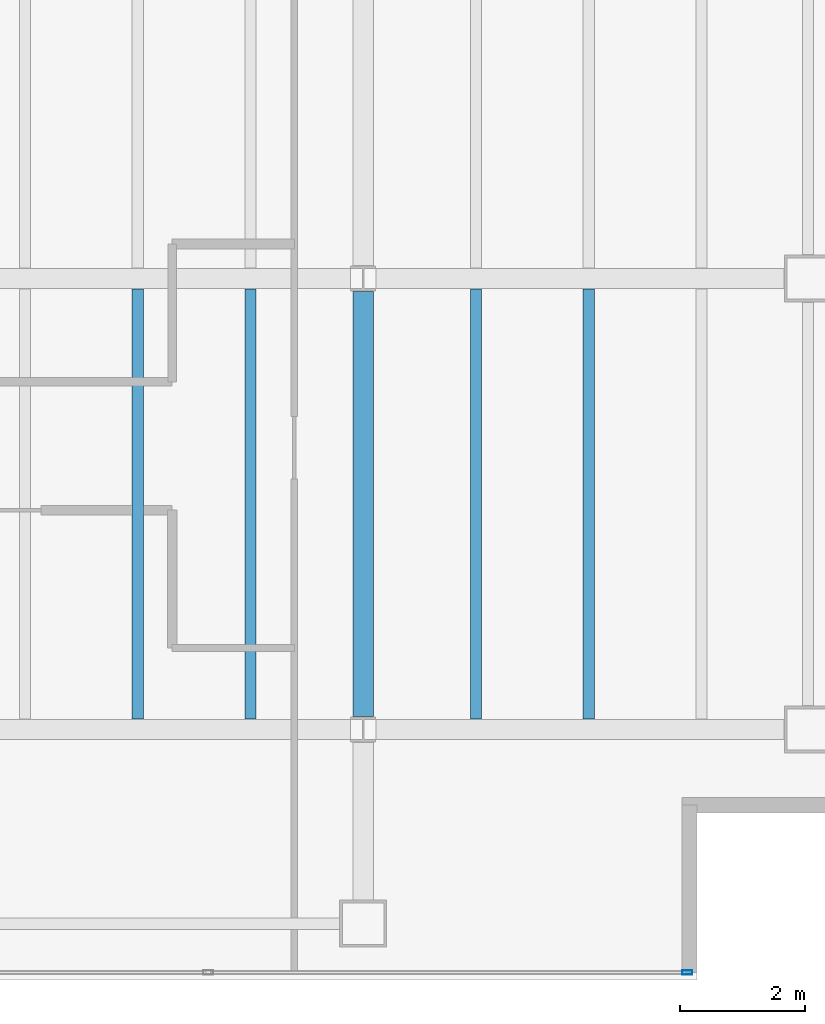
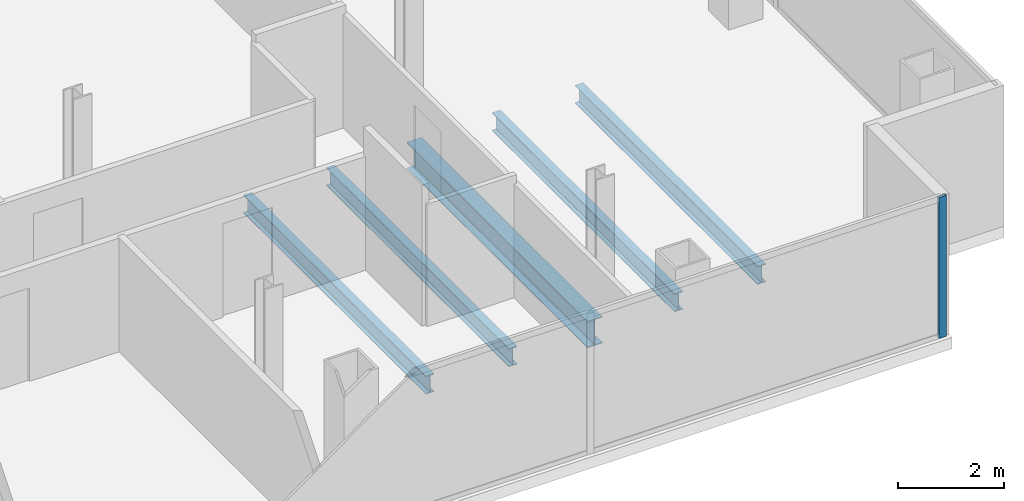
# One storey, part 11 of 23: 5 beams, 1 member, 1 element without a shape of its own.
"""IFC4 building model written with IfcOpenShell, lengths in metres."""

from ifc_helpers import new_model, si_unit, direction, frame, origin, origin_2d, place, context, subcontext, project, spatial, hollow_rectangle, i_section, extrude, material, material_profile, profile_set, type_object, element, aggregate, save


model = new_model("IFC4")

# Units and contexts
model_context = context("Model", 3, precision=1e-05, world=origin(), true_north=direction((0.0, 1.0)))
body_context = subcontext(model_context, "Body", "Model", "MODEL_VIEW")
ifc_project = project(units=[si_unit("LENGTHUNIT", "METRE"), si_unit("AREAUNIT", "SQUARE_METRE"), si_unit("VOLUMEUNIT", "CUBIC_METRE"), si_unit("PLANEANGLEUNIT", "RADIAN"), si_unit("MASSUNIT", "GRAM", prefix="KILO")], contexts=[model_context])

# Site, building, storey
site_placement = place(None, origin())
site = spatial("IfcSite", under=ifc_project, at=site_placement, CompositionType="ELEMENT")
building_placement = place(site_placement, origin())
building = spatial("IfcBuilding", under=site, at=building_placement, Name="Cobrela Telecom Tower", CompositionType="ELEMENT")
storey_placement = place(building_placement, frame((0.0, 0.0, 222.25)))
storey = spatial("IfcBuildingStorey", under=building, at=storey_placement, Name="L57", CompositionType="ELEMENT", Elevation=222.25)

# Beams
ifc_material_1 = material(Name="Steel ASTM A992 Grade 50", Category="steel")
ifc_material_profile_1 = material_profile(ifc_material_1, i_section(OverallWidth=0.324951171875, OverallDepth=0.612060546875, WebThickness=0.0126953125, FlangeThickness=0.01904296875, FilletRadius=0.014892578125, at=origin_2d()), Name="W24X104")
ifc_profile_set_1 = profile_set([ifc_material_profile_1], Name="Steel ASTM A992 Grade 50")
beam_type_1 = type_object("IfcBeamType", Name="BM-GIRD-07", PredefinedType="USERDEFINED", material=ifc_profile_set_1)
beam_placement = place(storey_placement, frame((36.0, 7.404541015625, -0.56591796875), z_axis=(0.0, 1.0, 0.0), x_axis=(-1.0, 0.0, 0.0)))
element("IfcBeam", 1, at=beam_placement, inside=storey, type_object=beam_type_1, Name="L57 Primary Girder Y40", ObjectType="GIRDER", PredefinedType="USERDEFINED", context=body_context, shape_type="SweptSolid", body=[
    extrude(i_section(OverallWidth=0.324951171875, OverallDepth=0.612060546875, WebThickness=0.0126953125, FlangeThickness=0.01904296875, FilletRadius=0.014892578125, at=origin_2d()), origin(), (0.0, 0.0, 1.0), 6.791015625),
])
ifc_material_profile_2 = material_profile(ifc_material_1, i_section(OverallWidth=0.179931640625, OverallDepth=0.4169921875, WebThickness=0.010986328125, FlangeThickness=0.01806640625, FilletRadius=0.011962890625, at=origin_2d()), Name="W16X57")
ifc_profile_set_2 = profile_set([ifc_material_profile_2], Name="Steel ASTM A992 Grade 50")
beam_type_2 = type_object("IfcBeamType", Name="BM-JOIST-04", PredefinedType="JOIST", material=ifc_profile_set_2)
for number, where, z_axis, x_axis, name in (
    (2, (32.39990234375, 7.367431640625, -0.468505859375), (0.0, 1.0, 0.0), (-1.0, 0.0, 0.0), "L57 Secondary Composite Floor Beam J21"),
    (3, (34.199951171875, 7.367431640625, -0.468505859375), (0.0, 1.0, 0.0), (-1.0, 0.0, 0.0), "L57 Secondary Composite Floor Beam J23"),
    (4, (37.800048828125, 7.367431640625, -0.468505859375), (0.0, 1.0, 0.0), (-1.0, 0.0, 0.0), "L57 Secondary Composite Floor Beam J25"),
    (5, (39.60009765625, 7.367431640625, -0.468505859375), (0.0, 1.0, 0.0), (-1.0, 0.0, 0.0), "L57 Secondary Composite Floor Beam J27"),
):
    element("IfcBeam", number, at=place(storey_placement, frame(where, z_axis=z_axis, x_axis=x_axis)), inside=storey, type_object=beam_type_2, Name=name, PredefinedType="JOIST", context=body_context, shape_type="SweptSolid", body=[
        extrude(i_section(OverallWidth=0.179931640625, OverallDepth=0.4169921875, WebThickness=0.010986328125, FlangeThickness=0.01806640625, FilletRadius=0.011962890625, at=origin_2d()), origin(), (0.0, 0.0, 1.0), 6.864990234375),
    ])

# Curtain wall, member
ifc_material_2 = material(Name="Anodized Bronze Aluminium 6063-T6", Category="aluminium")
curtain_wall_type = type_object("IfcCurtainWallType", Name="CW-SYS-OFF-LO", PredefinedType="USERDEFINED", material=ifc_material_2)
curtain_wall_placement = place(storey_placement, origin())
curtain_wall = element("IfcCurtainWall", 6, at=curtain_wall_placement, inside=storey, type_object=curtain_wall_type, Name="L57 Unitised Bronze Curtain Wall 17", ObjectType="UNITISED CURTAIN WALL", PredefinedType="USERDEFINED")
ifc_material_profile_3 = material_profile(ifc_material_2, hollow_rectangle(XDim=0.070068359375, YDim=0.159912109375, WallThickness=0.00390625, at=origin_2d()), Name="ALU 70x160x4")
ifc_profile_set_3 = profile_set([ifc_material_profile_3], Name="Anodized Bronze Aluminium 6063-T6")
member_type = type_object("IfcMemberType", Name="CW-SYS-OFF-LO-MUL", PredefinedType="MULLION", material=ifc_profile_set_3)
member_placement = place(storey_placement, frame((41.175048828125, 3.320068359375, 0.0), z_axis=(0.0, 0.0, 1.0), x_axis=(0.0, -1.0, 0.0)))
member = element("IfcMember", 7, at=member_placement, type_object=member_type, Name="CW-OFF-LO mullion 1", PredefinedType="MULLION", context=body_context, shape_type="SweptSolid", body=[
    extrude(hollow_rectangle(XDim=0.070068359375, YDim=0.159912109375, WallThickness=0.00390625, at=origin_2d()), origin(), (0.0, 0.0, 1.0), 3.239990234375),
])
aggregate(curtain_wall, [member])

save(model, "model.ifc")
